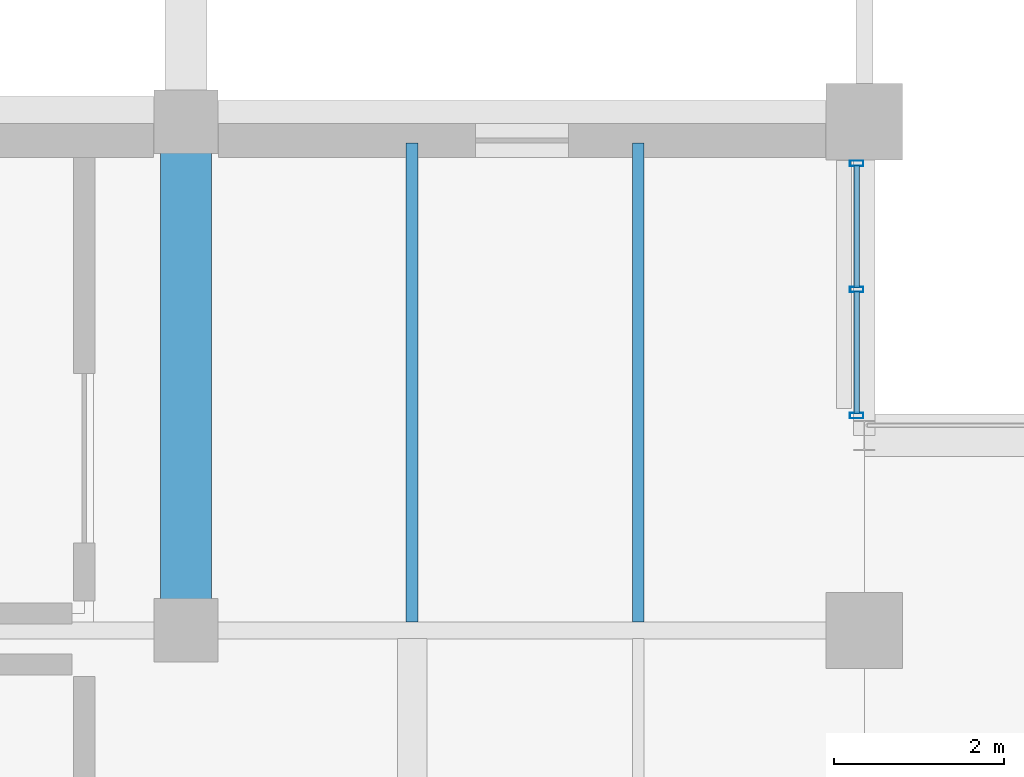
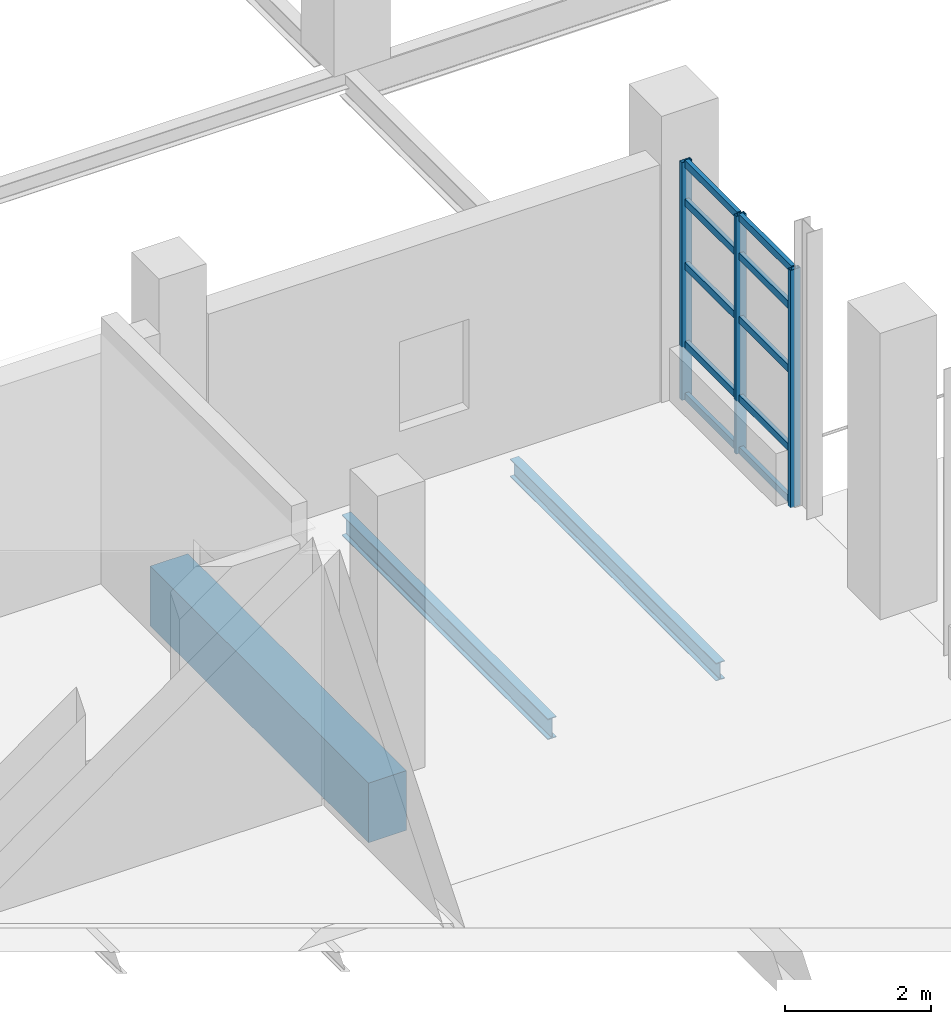
# One storey, part 23 of 100: 13 members, 3 beams, 1 element without a shape of its own.
"""IFC4 building model written with IfcOpenShell, lengths in metres."""

from ifc_helpers import new_model, si_unit, derived_unit, direction, frame, origin, origin_2d, place, context, subcontext, project, spatial, rectangle, hollow_rectangle, i_section, extrude, material, layer, layer_set, material_profile, profile_set, type_object, element, aggregate, save


model = new_model("IFC4")

# Units and contexts
model_context = context("Model", 3, precision=1e-05, world=origin(), true_north=direction((0.0, 1.0)))
body_context = subcontext(model_context, "Body", "Model", "MODEL_VIEW")
ifc_project = project(units=[si_unit("LENGTHUNIT", "METRE"), si_unit("AREAUNIT", "SQUARE_METRE"), si_unit("VOLUMEUNIT", "CUBIC_METRE"), si_unit("PLANEANGLEUNIT", "RADIAN"), si_unit("MASSUNIT", "GRAM", prefix="KILO"), derived_unit("THERMALTRANSMITTANCEUNIT", [(si_unit("POWERUNIT", "WATT"), 1), (si_unit("LENGTHUNIT", "METRE"), -2), (si_unit("THERMODYNAMICTEMPERATUREUNIT", "KELVIN"), -1)])], contexts=[model_context])

# Site, building, storey
site_placement = place(None, origin())
site = spatial("IfcSite", under=ifc_project, at=site_placement, CompositionType="ELEMENT")
building_placement = place(site_placement, origin())
building = spatial("IfcBuilding", under=site, at=building_placement, Name="Nallur Shell Playhouse", CompositionType="ELEMENT")
storey_placement = place(building_placement, frame((0.0, 0.0, 10.199951171875)))
storey = spatial("IfcBuildingStorey", under=building, at=storey_placement, Name="L03", CompositionType="ELEMENT", Elevation=10.199951171875)

# Beams
ifc_material_1 = material(Name="Steel E250", Category="steel")
ifc_material_profile_1 = material_profile(ifc_material_1, i_section(OverallWidth=0.139892578125, OverallDepth=0.300048828125, WebThickness=0.0078125, FlangeThickness=0.01318359375, FilletRadius=0.013916015625, at=origin_2d()), Name="ISMB 300")
ifc_profile_set_1 = profile_set([ifc_material_profile_1], Name="Steel E250")
beam_type_1 = type_object("IfcBeamType", Name="BM-JST-ISMB300", PredefinedType="JOIST", material=ifc_profile_set_1)
beam_1_placement = place(storey_placement, frame((37.333251953125, 50.097900390625, -0.409912109375), z_axis=(0.0, 1.0, 0.0), x_axis=(-1.0, 0.0, 0.0)))
element("IfcBeam", 1, at=beam_1_placement, inside=storey, type_object=beam_type_1, Name="L03 secondary joist 4-F-711", PredefinedType="JOIST", context=body_context, shape_type="SweptSolid", body=[
    extrude(i_section(OverallWidth=0.139892578125, OverallDepth=0.300048828125, WebThickness=0.0078125, FlangeThickness=0.01318359375, FilletRadius=0.013916015625, at=origin_2d()), origin(), (0.0, 0.0, 1.0), 5.654052734375),
])
ifc_material_profile_2 = material_profile(ifc_material_1, i_section(OverallWidth=0.139892578125, OverallDepth=0.35009765625, WebThickness=0.008056640625, FlangeThickness=0.01416015625, FilletRadius=0.013916015625, at=origin_2d()), Name="ISMB 350")
ifc_profile_set_2 = profile_set([ifc_material_profile_2], Name="Steel E250")
beam_type_2 = type_object("IfcBeamType", Name="BM-JST-ISMB350", PredefinedType="JOIST", material=ifc_profile_set_2)
beam_2_placement = place(storey_placement, frame((34.666748046875, 50.097900390625, -0.43505859375), z_axis=(0.0, 1.0, 0.0), x_axis=(-1.0, 0.0, 0.0)))
element("IfcBeam", 2, at=beam_2_placement, inside=storey, type_object=beam_type_2, Name="L03 secondary joist 4-F-710", PredefinedType="JOIST", context=body_context, shape_type="SweptSolid", body=[
    extrude(i_section(OverallWidth=0.139892578125, OverallDepth=0.35009765625, WebThickness=0.008056640625, FlangeThickness=0.01416015625, FilletRadius=0.013916015625, at=origin_2d()), origin(), (0.0, 0.0, 1.0), 5.654052734375),
])
ifc_material_2 = material(Name="Concrete M40", Category="concrete")
ifc_material_profile_3 = material_profile(ifc_material_2, rectangle(XDim=0.60009765625, YDim=1.0, at=origin_2d()), Name="RC 600x1000")
ifc_profile_set_3 = profile_set([ifc_material_profile_3], Name="Concrete M40")
beam_type_3 = type_object("IfcBeamType", Name="BM-RC-600x1000", PredefinedType="BEAM", material=ifc_profile_set_3)
beam_3_placement = place(storey_placement, frame((32.0, 50.0, -0.760009765625), z_axis=(0.0, 1.0, 0.0), x_axis=(-1.0, 0.0, 0.0)))
element("IfcBeam", 3, at=beam_3_placement, inside=storey, type_object=beam_type_3, Name="L03 girder Y-4-636", PredefinedType="BEAM", context=body_context, shape_type="SweptSolid", body=[
    extrude(rectangle(XDim=0.60009765625, YDim=1.0, at=origin_2d()), origin(), (0.0, 0.0, 1.0), 6.0),
])

# Curtain wall, members
ifc_material_3 = material(Name="Anodised Aluminium Double-Glazed Facade System", Category="aluminium")
ifc_layer = layer(ifc_material_3, 0.1640625)
ifc_layer_set = layer_set([ifc_layer], Name="Anodised Aluminium Double-Glazed Facade System")
curtain_wall_type = type_object("IfcCurtainWallType", Name="CW-UNIT-07", PredefinedType="NOTDEFINED", material=ifc_layer_set)
curtain_wall_placement = place(storey_placement, origin())
curtain_wall = element("IfcCurtainWall", 4, at=curtain_wall_placement, inside=storey, type_object=curtain_wall_type, Name="Unitised curtain wall CW-103 (L03)", PredefinedType="NOTDEFINED")
ifc_material_4 = material(Name="Aluminium Alloy 6063-T6 Mullion", Category="aluminium")
ifc_material_profile_4 = material_profile(ifc_material_4, hollow_rectangle(XDim=0.06494140625, YDim=0.159912109375, WallThickness=0.00390625, at=origin_2d()), Name="ALU 65x160x4")
ifc_profile_set_4 = profile_set([ifc_material_profile_4], Name="Aluminium Alloy 6063-T6 Mullion")
member_type_1 = type_object("IfcMemberType", Name="MB-CW-MUL160", PredefinedType="MULLION", material=ifc_profile_set_4)
member_1_placement = place(storey_placement, frame((39.909912109375, 55.509521484375, -0.014892578125), z_axis=(0.0, 0.0, 1.0), x_axis=(0.0, -1.0, 0.0)))
member_1 = element("IfcMember", 5, at=member_1_placement, type_object=member_type_1, Name="CW-07 mullion 1", PredefinedType="MULLION", context=body_context, shape_type="SweptSolid", body=[
    extrude(hollow_rectangle(XDim=0.06494140625, YDim=0.159912109375, WallThickness=0.00390625, at=origin_2d()), origin(), (0.0, 0.0, 1.0), 3.98388671875),
])
member_2_placement = place(storey_placement, frame((39.909912109375, 54.02099609375, -0.014892578125), z_axis=(0.0, 0.0, 1.0), x_axis=(0.0, -1.0, 0.0)))
member_2 = element("IfcMember", 6, at=member_2_placement, type_object=member_type_1, Name="CW-07 mullion 2", PredefinedType="MULLION", context=body_context, shape_type="SweptSolid", body=[
    extrude(hollow_rectangle(XDim=0.06494140625, YDim=0.159912109375, WallThickness=0.00390625, at=origin_2d()), origin(), (0.0, 0.0, 1.0), 3.98388671875),
])
member_3_placement = place(storey_placement, frame((39.909912109375, 52.532470703125, -0.014892578125), z_axis=(0.0, 0.0, 1.0), x_axis=(0.0, -1.0, 0.0)))
member_3 = element("IfcMember", 7, at=member_3_placement, type_object=member_type_1, Name="CW-07 mullion 3", PredefinedType="MULLION", context=body_context, shape_type="SweptSolid", body=[
    extrude(hollow_rectangle(XDim=0.06494140625, YDim=0.159912109375, WallThickness=0.00390625, at=origin_2d()), origin(), (0.0, 0.0, 1.0), 3.98388671875),
])
ifc_material_5 = material(Name="Aluminium Alloy 6063-T6 Transom", Category="aluminium")
ifc_material_profile_5 = material_profile(ifc_material_5, hollow_rectangle(XDim=0.06494140625, YDim=0.1201171875, WallThickness=0.00390625, at=origin_2d()), Name="ALU 65x120x4")
ifc_profile_set_5 = profile_set([ifc_material_profile_5], Name="Aluminium Alloy 6063-T6 Transom")
member_type_2 = type_object("IfcMemberType", Name="MB-CW-TRN120", PredefinedType="USERDEFINED", material=ifc_profile_set_5)
member_4_placement = place(storey_placement, frame((39.909912109375, 55.485107421875, 0.032470703125), z_axis=(0.0, -1.0, 0.0), x_axis=(1.0, 0.0, 0.0)))
member_4 = element("IfcMember", 8, at=member_4_placement, type_object=member_type_2, Name="CW-07 transom 1.1", ObjectType="TRANSOM", PredefinedType="USERDEFINED", context=body_context, shape_type="SweptSolid", body=[
    extrude(hollow_rectangle(XDim=0.06494140625, YDim=0.1201171875, WallThickness=0.00390625, at=origin_2d()), origin(), (0.0, 0.0, 1.0), 1.439697265625),
])
member_5_placement = place(storey_placement, frame((39.909912109375, 55.485107421875, 0.900146484375), z_axis=(0.0, -1.0, 0.0), x_axis=(1.0, 0.0, 0.0)))
member_5 = element("IfcMember", 9, at=member_5_placement, type_object=member_type_2, Name="CW-07 transom 1.2", ObjectType="TRANSOM", PredefinedType="USERDEFINED", context=body_context, shape_type="SweptSolid", body=[
    extrude(hollow_rectangle(XDim=0.06494140625, YDim=0.1201171875, WallThickness=0.00390625, at=origin_2d()), origin(), (0.0, 0.0, 1.0), 1.439697265625),
])
member_6_placement = place(storey_placement, frame((39.909912109375, 55.485107421875, 2.219970703125), z_axis=(0.0, -1.0, 0.0), x_axis=(1.0, 0.0, 0.0)))
member_6 = element("IfcMember", 10, at=member_6_placement, type_object=member_type_2, Name="CW-07 transom 1.3", ObjectType="TRANSOM", PredefinedType="USERDEFINED", context=body_context, shape_type="SweptSolid", body=[
    extrude(hollow_rectangle(XDim=0.06494140625, YDim=0.1201171875, WallThickness=0.00390625, at=origin_2d()), origin(), (0.0, 0.0, 1.0), 1.439697265625),
])
member_7_placement = place(storey_placement, frame((39.909912109375, 55.485107421875, 3.28515625), z_axis=(0.0, -1.0, 0.0), x_axis=(1.0, 0.0, 0.0)))
member_7 = element("IfcMember", 11, at=member_7_placement, type_object=member_type_2, Name="CW-07 transom 1.4", ObjectType="TRANSOM", PredefinedType="USERDEFINED", context=body_context, shape_type="SweptSolid", body=[
    extrude(hollow_rectangle(XDim=0.06494140625, YDim=0.1201171875, WallThickness=0.00390625, at=origin_2d()), origin(), (0.0, 0.0, 1.0), 1.439697265625),
])
member_8_placement = place(storey_placement, frame((39.909912109375, 55.485107421875, 3.9326171875), z_axis=(0.0, -1.0, 0.0), x_axis=(1.0, 0.0, 0.0)))
member_8 = element("IfcMember", 12, at=member_8_placement, type_object=member_type_2, Name="CW-07 transom 1.5", ObjectType="TRANSOM", PredefinedType="USERDEFINED", context=body_context, shape_type="SweptSolid", body=[
    extrude(hollow_rectangle(XDim=0.06494140625, YDim=0.1201171875, WallThickness=0.00390625, at=origin_2d()), origin(), (0.0, 0.0, 1.0), 1.439697265625),
])
member_9_placement = place(storey_placement, frame((39.909912109375, 53.99658203125, 0.032470703125), z_axis=(0.0, -1.0, 0.0), x_axis=(1.0, 0.0, 0.0)))
member_9 = element("IfcMember", 13, at=member_9_placement, type_object=member_type_2, Name="CW-07 transom 2.1", ObjectType="TRANSOM", PredefinedType="USERDEFINED", context=body_context, shape_type="SweptSolid", body=[
    extrude(hollow_rectangle(XDim=0.06494140625, YDim=0.1201171875, WallThickness=0.00390625, at=origin_2d()), origin(), (0.0, 0.0, 1.0), 1.439697265625),
])
member_10_placement = place(storey_placement, frame((39.909912109375, 53.99658203125, 0.900146484375), z_axis=(0.0, -1.0, 0.0), x_axis=(1.0, 0.0, 0.0)))
member_10 = element("IfcMember", 14, at=member_10_placement, type_object=member_type_2, Name="CW-07 transom 2.2", ObjectType="TRANSOM", PredefinedType="USERDEFINED", context=body_context, shape_type="SweptSolid", body=[
    extrude(hollow_rectangle(XDim=0.06494140625, YDim=0.1201171875, WallThickness=0.00390625, at=origin_2d()), origin(), (0.0, 0.0, 1.0), 1.439697265625),
])
member_11_placement = place(storey_placement, frame((39.909912109375, 53.99658203125, 2.219970703125), z_axis=(0.0, -1.0, 0.0), x_axis=(1.0, 0.0, 0.0)))
member_11 = element("IfcMember", 15, at=member_11_placement, type_object=member_type_2, Name="CW-07 transom 2.3", ObjectType="TRANSOM", PredefinedType="USERDEFINED", context=body_context, shape_type="SweptSolid", body=[
    extrude(hollow_rectangle(XDim=0.06494140625, YDim=0.1201171875, WallThickness=0.00390625, at=origin_2d()), origin(), (0.0, 0.0, 1.0), 1.439697265625),
])
member_12_placement = place(storey_placement, frame((39.909912109375, 53.99658203125, 3.28515625), z_axis=(0.0, -1.0, 0.0), x_axis=(1.0, 0.0, 0.0)))
member_12 = element("IfcMember", 16, at=member_12_placement, type_object=member_type_2, Name="CW-07 transom 2.4", ObjectType="TRANSOM", PredefinedType="USERDEFINED", context=body_context, shape_type="SweptSolid", body=[
    extrude(hollow_rectangle(XDim=0.06494140625, YDim=0.1201171875, WallThickness=0.00390625, at=origin_2d()), origin(), (0.0, 0.0, 1.0), 1.439697265625),
])
member_13_placement = place(storey_placement, frame((39.909912109375, 53.99658203125, 3.9326171875), z_axis=(0.0, -1.0, 0.0), x_axis=(1.0, 0.0, 0.0)))
member_13 = element("IfcMember", 17, at=member_13_placement, type_object=member_type_2, Name="CW-07 transom 2.5", ObjectType="TRANSOM", PredefinedType="USERDEFINED", context=body_context, shape_type="SweptSolid", body=[
    extrude(hollow_rectangle(XDim=0.06494140625, YDim=0.1201171875, WallThickness=0.00390625, at=origin_2d()), origin(), (0.0, 0.0, 1.0), 1.439697265625),
])
aggregate(curtain_wall, [member_1, member_2, member_3, member_4, member_5, member_6, member_7, member_8, member_9, member_10, member_11, member_12, member_13])

save(model, "model.ifc")
